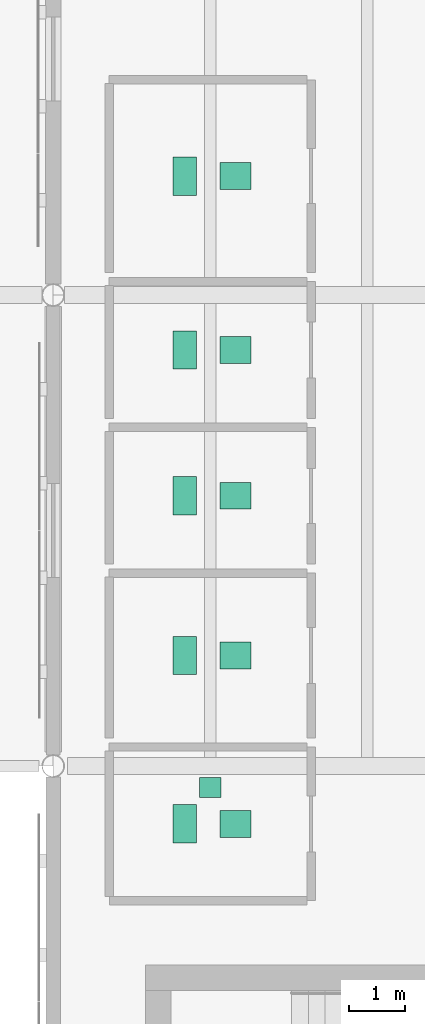
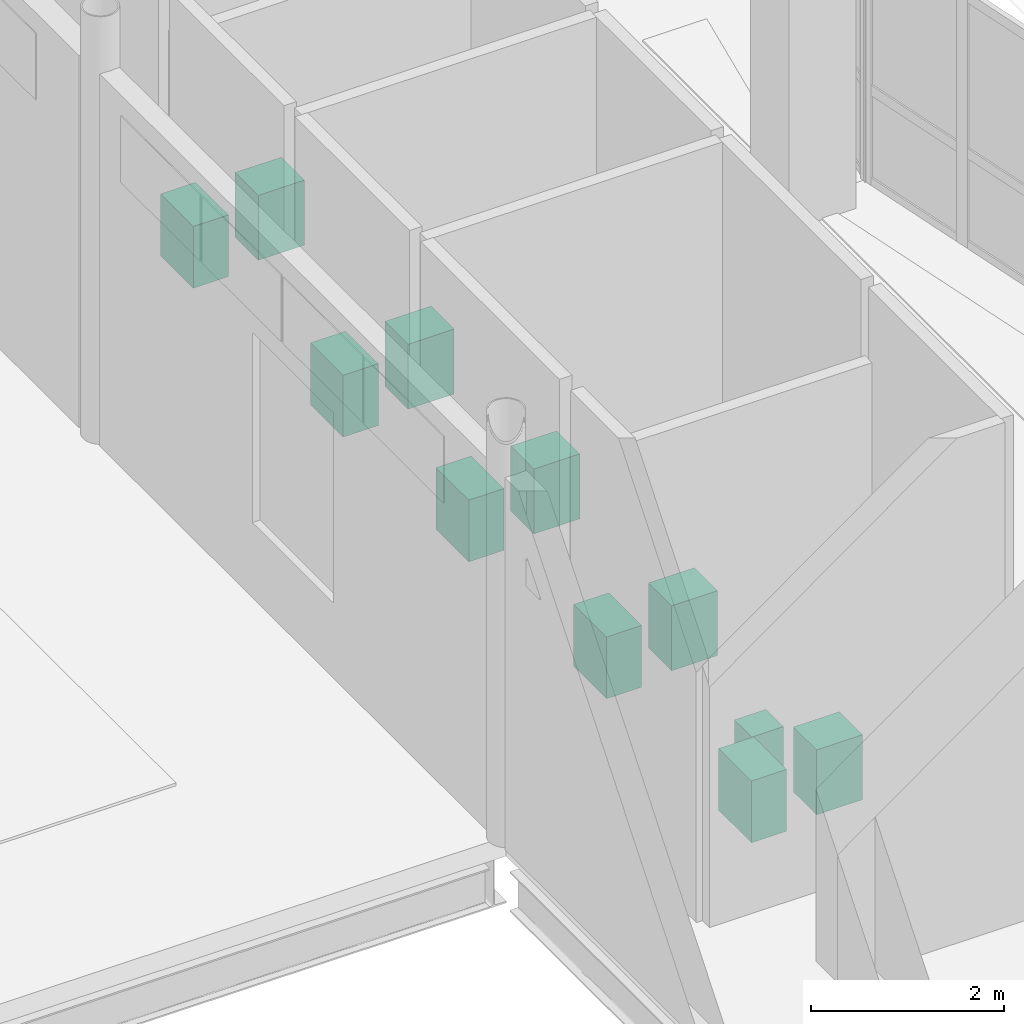
# One storey, part 109 of 110: 11 sanitary terminals.
"""IFC4 building model written with IfcOpenShell, lengths in metres."""

from ifc_helpers import new_model, si_unit, direction, frame, origin, origin_2d, place, context, subcontext, project, spatial, rectangle, extrude, material, type_object, element, save


model = new_model("IFC4")

# Units and contexts
model_context = context("Model", 3, precision=1e-05, world=origin(), true_north=direction((0.0, 1.0)))
body_context = subcontext(model_context, "Body", "Model", "MODEL_VIEW")
ifc_project = project(units=[si_unit("LENGTHUNIT", "METRE"), si_unit("AREAUNIT", "SQUARE_METRE"), si_unit("VOLUMEUNIT", "CUBIC_METRE"), si_unit("PLANEANGLEUNIT", "RADIAN"), si_unit("MASSUNIT", "GRAM", prefix="KILO"), si_unit("THERMODYNAMICTEMPERATUREUNIT", "KELVIN")], contexts=[model_context])

# Site, building, storey
site_placement = place(None, origin())
site = spatial("IfcSite", under=ifc_project, at=site_placement, CompositionType="ELEMENT")
building_placement = place(site_placement, origin())
building = spatial("IfcBuilding", under=site, at=building_placement, Name="Lustrewick Department Store", CompositionType="ELEMENT")
storey_placement = place(building_placement, frame((0.0, 0.0, 6.0)))
storey = spatial("IfcBuildingStorey", under=building, at=storey_placement, Name="L02", CompositionType="ELEMENT", Elevation=6.0)

# Sanitary terminals
ifc_material = material(Name="Glazed white vitreous china sanitaryware", Category="masonry")
sanitary_terminal_type_1 = type_object("IfcSanitaryTerminalType", Name="SAN-URI", PredefinedType="URINAL", material=ifc_material)
sanitary_terminal_placement = place(storey_placement, frame((11.199951171875, 58.419921875, 0.0), z_axis=(0.0, 0.0, 1.0), x_axis=(1.0, 0.0, 0.0)))
element("IfcSanitaryTerminal", 1, at=sanitary_terminal_placement, inside=storey, type_object=sanitary_terminal_type_1, Name="L02 Male Public WC Urinal", PredefinedType="URINAL", context=body_context, shape_type="SweptSolid", body=[
    extrude(rectangle(XDim=0.3798828125, YDim=0.360107421875, at=origin_2d()), origin(), (0.0, 0.0, 1.0), 0.679931640625),
])
sanitary_terminal_type_2 = type_object("IfcSanitaryTerminalType", Name="SAN-WC", PredefinedType="TOILETPAN", material=ifc_material)
for number, where, z_axis, x_axis, name in (
    (2, (10.75, 57.77001953125, 0.0), (0.0, 0.0, 1.0), (1.0, 0.0, 0.0), "L02 Male Public WC WC Pan"),
    (3, (10.75, 60.77001953125, 0.0), (0.0, 0.0, 1.0), (1.0, 0.0, 0.0), "L02 Female Public WC WC Pan"),
    (4, (10.75, 63.6201171875, 0.0), (0.0, 0.0, 1.0), (1.0, 0.0, 0.0), "L02 Accessible WC WC Pan"),
    (5, (10.75, 66.219970703125, 0.0), (0.0, 0.0, 1.0), (1.0, 0.0, 0.0), "L02 Staff WC WC Pan"),
    (6, (10.75, 69.320068359375, 0.0), (0.0, 0.0, 1.0), (1.0, 0.0, 0.0), "L02 Nursery Room WC Pan"),
):
    element("IfcSanitaryTerminal", number, at=place(storey_placement, frame(where, z_axis=z_axis, x_axis=x_axis)), inside=storey, type_object=sanitary_terminal_type_2, Name=name, PredefinedType="TOILETPAN", context=body_context, shape_type="SweptSolid", body=[
        extrude(rectangle(XDim=0.419921875, YDim=0.679931640625, at=origin_2d()), origin(), (0.0, 0.0, 1.0), 0.780029296875),
    ])
sanitary_terminal_type_3 = type_object("IfcSanitaryTerminalType", Name="SAN-WHB", PredefinedType="WASHHANDBASIN", material=ifc_material)
for number, where, z_axis, x_axis, name in (
    (7, (11.64990234375, 57.77001953125, 0.0), (0.0, 0.0, 1.0), (1.0, 0.0, 0.0), "L02 Male Public WC Washbasin"),
    (8, (11.64990234375, 60.77001953125, 0.0), (0.0, 0.0, 1.0), (1.0, 0.0, 0.0), "L02 Female Public WC Washbasin"),
    (9, (11.64990234375, 63.6201171875, 0.0), (0.0, 0.0, 1.0), (1.0, 0.0, 0.0), "L02 Accessible WC Washbasin"),
    (10, (11.64990234375, 66.219970703125, 0.0), (0.0, 0.0, 1.0), (1.0, 0.0, 0.0), "L02 Staff WC Washbasin"),
    (11, (11.64990234375, 69.320068359375, 0.0), (0.0, 0.0, 1.0), (1.0, 0.0, 0.0), "L02 Nursery Room Washbasin"),
):
    element("IfcSanitaryTerminal", number, at=place(storey_placement, frame(where, z_axis=z_axis, x_axis=x_axis)), inside=storey, type_object=sanitary_terminal_type_3, Name=name, PredefinedType="WASHHANDBASIN", context=body_context, shape_type="SweptSolid", body=[
        extrude(rectangle(XDim=0.550048828125, YDim=0.47998046875, at=origin_2d()), origin(), (0.0, 0.0, 1.0), 0.820068359375),
    ])

save(model, "model.ifc")
